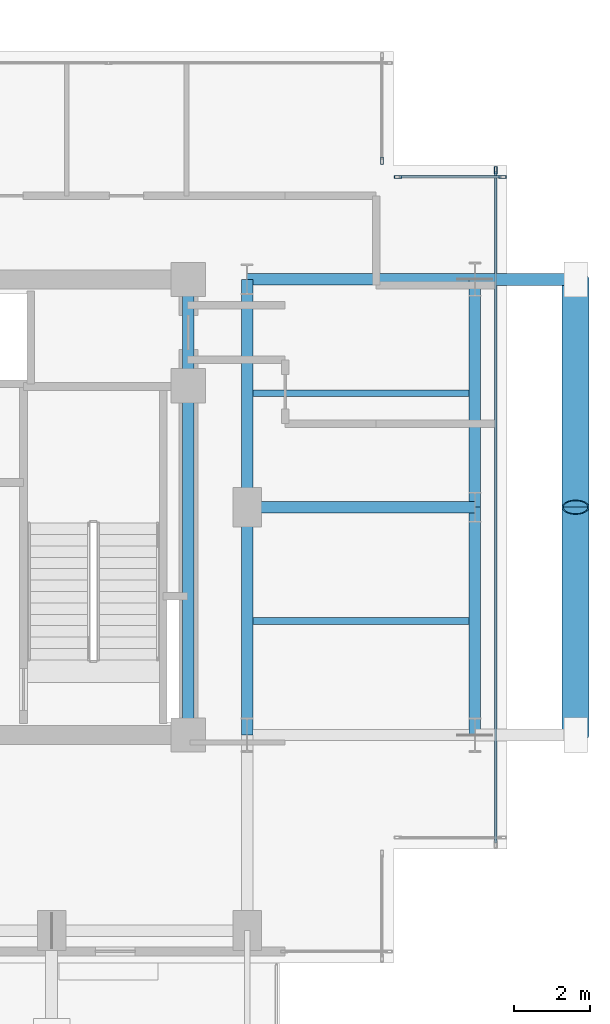
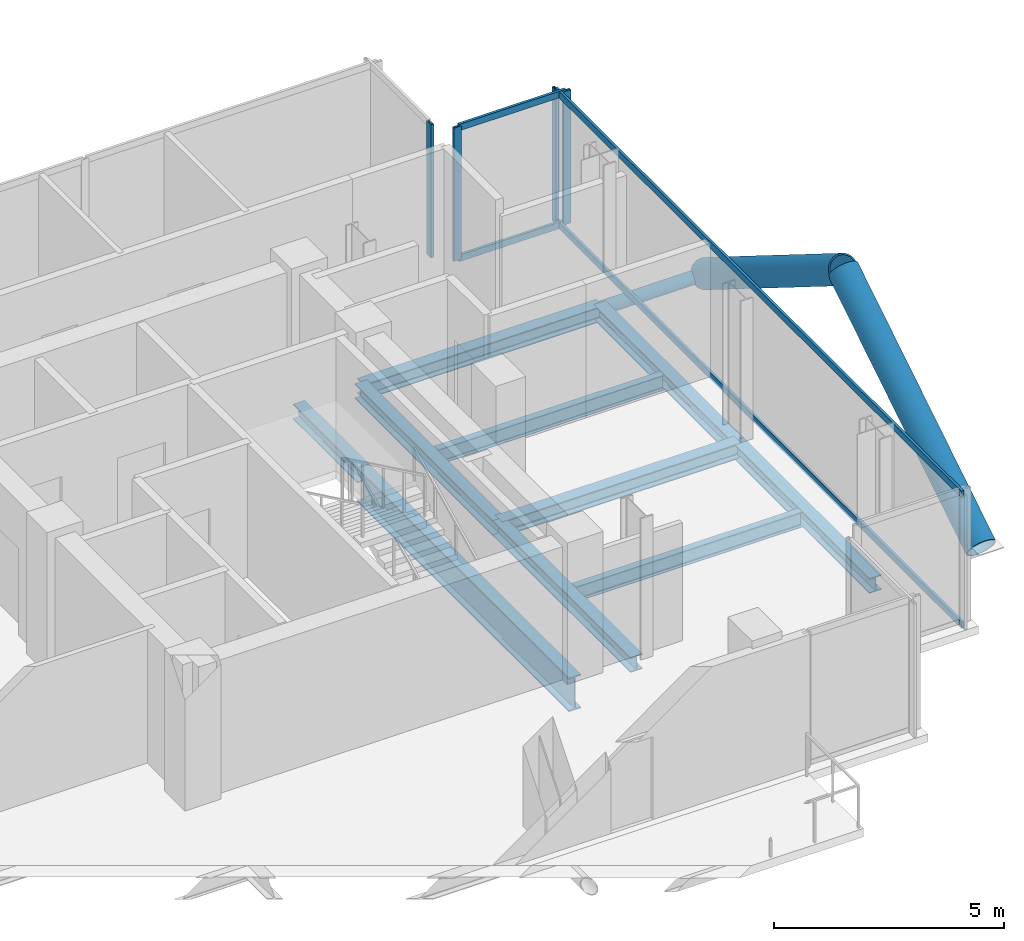
# One storey, part 12 of 25: 11 members, 10 beams, 3 elements without a shape of their own.
"""IFC4 building model written with IfcOpenShell, lengths in metres."""

from ifc_helpers import new_model, si_unit, direction, frame, origin, origin_2d, place, context, subcontext, project, spatial, hollow_rectangle, hollow_circle, i_section, extrude, material, layer, layer_set, material_profile, profile_set, type_object, element, aggregate, save


model = new_model("IFC4")

# Units and contexts
model_context = context("Model", 3, precision=1e-05, world=origin(), true_north=direction((0.0, 1.0)))
body_context = subcontext(model_context, "Body", "Model", "MODEL_VIEW")
ifc_project = project(units=[si_unit("LENGTHUNIT", "METRE"), si_unit("AREAUNIT", "SQUARE_METRE"), si_unit("VOLUMEUNIT", "CUBIC_METRE"), si_unit("PLANEANGLEUNIT", "RADIAN"), si_unit("MASSUNIT", "GRAM", prefix="KILO"), si_unit("THERMODYNAMICTEMPERATUREUNIT", "KELVIN"), si_unit("POWERUNIT", "WATT")], contexts=[model_context])

# Site, building, storey
site_placement = place(None, origin())
site = spatial("IfcSite", under=ifc_project, at=site_placement, CompositionType="ELEMENT")
building_placement = place(site_placement, origin())
building = spatial("IfcBuilding", under=site, at=building_placement, Name="Svarakhadi Broadcast Tower", CompositionType="ELEMENT")
storey_placement = place(building_placement, frame((0.0, 0.0, 212.39990234375)))
storey = spatial("IfcBuildingStorey", under=building, at=storey_placement, Name="L52", CompositionType="ELEMENT", Elevation=212.39990234375)

# Beams
ifc_material_1 = material(Name="Steel S355J2 (IS 2062 E350C)", Category="steel")
ifc_material_profile_1 = material_profile(ifc_material_1, i_section(OverallWidth=0.179931640625, OverallDepth=0.39990234375, WebThickness=0.008544921875, FlangeThickness=0.013427734375, FilletRadius=0.02099609375, at=origin_2d()), Name="NPB 400x180x66")
ifc_profile_set_1 = profile_set([ifc_material_profile_1], Name="Steel S355J2 (IS 2062 E350C)")
beam_type_1 = type_object("IfcBeamType", Name="Beam_NPB400", PredefinedType="BEAM", material=ifc_profile_set_1)
for number, where, z_axis, x_axis, name in (
    (1, (35.31005859375, 9.0, -0.409912109375), (1.0, 0.0, 0.0), (0.0, 1.0, 0.0), "L52 Secondary Composite Beam SB016"),
    (2, (35.31005859375, 15.0, -0.409912109375), (1.0, 0.0, 0.0), (0.0, 1.0, 0.0), "L52 Secondary Composite Beam SB017"),
):
    element("IfcBeam", number, at=place(storey_placement, frame(where, z_axis=z_axis, x_axis=x_axis)), inside=storey, type_object=beam_type_1, Name=name, PredefinedType="BEAM", context=body_context, shape_type="SweptSolid", body=[
        extrude(i_section(OverallWidth=0.179931640625, OverallDepth=0.39990234375, WebThickness=0.008544921875, FlangeThickness=0.013427734375, FilletRadius=0.02099609375, at=origin_2d()), origin(), (0.0, 0.0, 1.0), 5.679931640625),
    ])

# Curtain wall, member
ifc_material_2 = material(Name="Anodised Bronze Aluminium AA 6063-T6", Category="aluminium")
ifc_layer = layer(ifc_material_2, 0.18994140625)
ifc_layer_set = layer_set([ifc_layer], Name="Anodised Bronze Aluminium AA 6063-T6")
curtain_wall_type = type_object("IfcCurtainWallType", Name="CW_Sys_04", PredefinedType="NOTDEFINED", material=ifc_layer_set)
curtain_wall_1_placement = place(storey_placement, origin())
curtain_wall_1 = element("IfcCurtainWall", 3, at=curtain_wall_1_placement, inside=storey, type_object=curtain_wall_type, Name="L52 Unitised Facade Curtain Wall 11", PredefinedType="NOTDEFINED")
ifc_material_profile_2 = material_profile(ifc_material_2, hollow_rectangle(XDim=0.070068359375, YDim=0.18994140625, WallThickness=0.005615234375, at=origin_2d()), Name="ALU MULLION 190x70x6")
ifc_profile_set_2 = profile_set([ifc_material_profile_2], Name="Anodised Bronze Aluminium AA 6063-T6")
member_type_1 = type_object("IfcMemberType", Name="CW_Sys_04_Mul", PredefinedType="MULLION", material=ifc_profile_set_2)
member_1_placement = place(storey_placement, frame((38.699951171875, 21.125, 0.0), z_axis=(0.0, 0.0, 1.0), x_axis=(1.0, 0.0, 0.0)))
member_1 = element("IfcMember", 4, at=member_1_placement, type_object=member_type_1, Name="CW-04 mullion 2", PredefinedType="MULLION", context=body_context, shape_type="SweptSolid", body=[
    extrude(hollow_rectangle(XDim=0.070068359375, YDim=0.18994140625, WallThickness=0.005615234375, at=origin_2d()), origin(), (0.0, 0.0, 1.0), 3.5400390625),
])
aggregate(curtain_wall_1, [member_1])

# Curtain wall, members
curtain_wall_2_placement = place(storey_placement, origin())
curtain_wall_2 = element("IfcCurtainWall", 5, at=curtain_wall_2_placement, inside=storey, type_object=curtain_wall_type, Name="L52 Unitised Facade Curtain Wall 12", PredefinedType="NOTDEFINED")
member_2_placement = place(storey_placement, frame((39.125, 20.699951171875, 0.0), z_axis=(0.0, 0.0, 1.0), x_axis=(0.0, 1.0, 0.0)))
member_2 = element("IfcMember", 6, at=member_2_placement, type_object=member_type_1, Name="CW-04 mullion 1", PredefinedType="MULLION", context=body_context, shape_type="SweptSolid", body=[
    extrude(hollow_rectangle(XDim=0.070068359375, YDim=0.18994140625, WallThickness=0.005615234375, at=origin_2d()), origin(), (0.0, 0.0, 1.0), 3.5400390625),
])
member_3_placement = place(storey_placement, frame((41.875, 20.699951171875, 0.0), z_axis=(0.0, 0.0, 1.0), x_axis=(0.0, 1.0, 0.0)))
member_3 = element("IfcMember", 7, at=member_3_placement, type_object=member_type_1, Name="CW-04 mullion 2", PredefinedType="MULLION", context=body_context, shape_type="SweptSolid", body=[
    extrude(hollow_rectangle(XDim=0.070068359375, YDim=0.18994140625, WallThickness=0.005615234375, at=origin_2d()), origin(), (0.0, 0.0, 1.0), 3.5400390625),
])

# Curtain wall, member
curtain_wall_3_placement = place(storey_placement, origin())
curtain_wall_3 = element("IfcCurtainWall", 8, at=curtain_wall_3_placement, inside=storey, type_object=curtain_wall_type, Name="L52 Unitised Facade Curtain Wall 13", PredefinedType="NOTDEFINED")
member_4_placement = place(storey_placement, frame((41.699951171875, 20.875, 0.0), z_axis=(0.0, 0.0, 1.0), x_axis=(1.0, 0.0, 0.0)))
member_4 = element("IfcMember", 9, at=member_4_placement, type_object=member_type_1, Name="CW-04 mullion 1", PredefinedType="MULLION", context=body_context, shape_type="SweptSolid", body=[
    extrude(hollow_rectangle(XDim=0.070068359375, YDim=0.18994140625, WallThickness=0.005615234375, at=origin_2d()), origin(), (0.0, 0.0, 1.0), 3.5400390625),
])

# Member
ifc_material_profile_3 = material_profile(ifc_material_2, hollow_rectangle(XDim=0.06494140625, YDim=0.175048828125, WallThickness=0.0048828125, at=origin_2d()), Name="ALU TRANSOM 175x65x5")
ifc_profile_set_3 = profile_set([ifc_material_profile_3], Name="Anodised Bronze Aluminium AA 6063-T6")
member_type_2 = type_object("IfcMemberType", Name="CW_Sys_04_Trn", PredefinedType="USERDEFINED", material=ifc_profile_set_3)
member_5_placement = place(storey_placement, frame((39.159912109375, 20.699951171875, 0.03271484375), z_axis=(1.0, 0.0, 0.0), x_axis=(0.0, 1.0, 0.0)))
member_5 = element("IfcMember", 10, at=member_5_placement, type_object=member_type_2, Name="CW-04 transom 1.1", ObjectType="TRANSOM", PredefinedType="USERDEFINED", context=body_context, shape_type="SweptSolid", body=[
    extrude(hollow_rectangle(XDim=0.06494140625, YDim=0.175048828125, WallThickness=0.0048828125, at=origin_2d()), origin(), (0.0, 0.0, 1.0), 2.68017578125),
])

member_6_placement = place(storey_placement, frame((39.159912109375, 20.699951171875, 3.507568359375), z_axis=(1.0, 0.0, 0.0), x_axis=(0.0, 1.0, 0.0)))
member_6 = element("IfcMember", 11, at=member_6_placement, type_object=member_type_2, Name="CW-04 transom 1.2", ObjectType="TRANSOM", PredefinedType="USERDEFINED", context=body_context, shape_type="SweptSolid", body=[
    extrude(hollow_rectangle(XDim=0.06494140625, YDim=0.175048828125, WallThickness=0.0048828125, at=origin_2d()), origin(), (0.0, 0.0, 1.0), 2.68017578125),
])

aggregate(curtain_wall_2, [member_2, member_3, member_5, member_6])

member_7_placement = place(storey_placement, frame((41.699951171875, 20.840087890625, 0.03271484375), z_axis=(0.0, -1.0, 0.0), x_axis=(1.0, 0.0, 0.0)))
member_7 = element("IfcMember", 12, at=member_7_placement, type_object=member_type_2, Name="CW-04 transom 1.1", ObjectType="TRANSOM", PredefinedType="USERDEFINED", context=body_context, shape_type="SweptSolid", body=[
    extrude(hollow_rectangle(XDim=0.06494140625, YDim=0.175048828125, WallThickness=0.0048828125, at=origin_2d()), origin(), (0.0, 0.0, 1.0), 17.68017578125),
])

member_8_placement = place(storey_placement, frame((41.699951171875, 20.840087890625, 3.507568359375), z_axis=(0.0, -1.0, 0.0), x_axis=(1.0, 0.0, 0.0)))
member_8 = element("IfcMember", 13, at=member_8_placement, type_object=member_type_2, Name="CW-04 transom 1.2", ObjectType="TRANSOM", PredefinedType="USERDEFINED", context=body_context, shape_type="SweptSolid", body=[
    extrude(hollow_rectangle(XDim=0.06494140625, YDim=0.175048828125, WallThickness=0.0048828125, at=origin_2d()), origin(), (0.0, 0.0, 1.0), 17.68017578125),
])

aggregate(curtain_wall_3, [member_4, member_7, member_8])

# Members
ifc_material_3 = material(Name="Steel S460ML (IS 2062 E450BR)", Category="steel")
ifc_material_profile_4 = material_profile(ifc_material_3, hollow_circle(Radius=0.35546875, WallThickness=0.034912109375, at=origin_2d()), Name="CHS 711x35")
ifc_profile_set_4 = profile_set([ifc_material_profile_4], Name="Steel S460ML (IS 2062 E450BR)")
member_type_3 = type_object("IfcMemberType", Name="Exo_Brace_CHS711", PredefinedType="BRACE", material=ifc_profile_set_4)
for number, where, z_axis, x_axis, name in (
    (14, (43.800048828125, 6.0, -0.371826171875), (0.0, 0.847998304005, 0.529998940003), (-1.0, 0.0, 0.0), "L52 Exposed Bronze Exoskeleton Diagonal E06"),
    (15, (43.800048828125, 18.0, -0.371826171875), (0.0, -0.847998304005, 0.529998940003), (1.0, 0.0, 0.0), "L52 Exposed Bronze Exoskeleton Diagonal E07"),
):
    element("IfcMember", number, at=place(storey_placement, frame(where, z_axis=z_axis, x_axis=x_axis)), inside=storey, type_object=member_type_3, Name=name, PredefinedType="BRACE", context=body_context, shape_type="SweptSolid", body=[
        extrude(hollow_circle(Radius=0.35546875, WallThickness=0.034912109375, at=origin_2d()), origin(), (0.0, 0.0, 1.0), 7.075439453125),
    ])
ifc_material_profile_5 = material_profile(ifc_material_3, hollow_circle(Radius=0.161865234375, WallThickness=0.01611328125, at=origin_2d()), Name="CHS 323.9x16")
ifc_profile_set_5 = profile_set([ifc_material_profile_5], Name="Steel S460ML (IS 2062 E450BR)")
member_type_4 = type_object("IfcMemberType", Name="Exo_Radial_Strut_Z2", PredefinedType="STRUT", material=ifc_profile_set_5)
member_9_placement = place(storey_placement, frame((43.800048828125, 18.0, -0.371826171875), z_axis=(-1.0, 0.0, 0.0), x_axis=(0.0, -1.0, 0.0)))
element("IfcMember", 16, at=member_9_placement, inside=storey, type_object=member_type_4, Name="L52 Exoskeleton Radial Tie Strut E08", PredefinedType="STRUT", context=body_context, shape_type="SweptSolid", body=[
    extrude(hollow_circle(Radius=0.161865234375, WallThickness=0.01611328125, at=origin_2d()), origin(), (0.0, 0.0, 1.0), 2.650146484375),
])

# Beams
ifc_material_profile_6 = material_profile(ifc_material_1, i_section(OverallWidth=0.300048828125, OverallDepth=0.39990234375, WebThickness=0.013427734375, FlangeThickness=0.02392578125, FilletRadius=0.027099609375, at=origin_2d()), Name="WPB 400x300x155")
ifc_profile_set_6 = profile_set([ifc_material_profile_6], Name="Steel S355J2 (IS 2062 E350C)")
beam_type_2 = type_object("IfcBeamType", Name="Girder_WPB400", PredefinedType="USERDEFINED", material=ifc_profile_set_6)
for number, where, z_axis, x_axis, name in (
    (17, (35.14990234375, 12.0, -0.409912109375), (1.0, 0.0, 0.0), (0.0, 1.0, 0.0), "L52 Primary E-W Girder G019"),
    (18, (35.14990234375, 18.0, -0.409912109375), (1.0, 0.0, 0.0), (0.0, 1.0, 0.0), "L52 Primary E-W Girder G025"),
):
    element("IfcBeam", number, at=place(storey_placement, frame(where, z_axis=z_axis, x_axis=x_axis)), inside=storey, type_object=beam_type_2, Name=name, ObjectType="GIRDER", PredefinedType="USERDEFINED", context=body_context, shape_type="SweptSolid", body=[
        extrude(i_section(OverallWidth=0.300048828125, OverallDepth=0.39990234375, WebThickness=0.013427734375, FlangeThickness=0.02392578125, FilletRadius=0.027099609375, at=origin_2d()), origin(), (0.0, 0.0, 1.0), 6.0),
    ])
beam_1_placement = place(storey_placement, frame((33.60009765625, 15.199951171875, -0.409912109375), z_axis=(0.0, 1.0, 0.0), x_axis=(-1.0, 0.0, 0.0)))
element("IfcBeam", 19, at=beam_1_placement, inside=storey, type_object=beam_type_2, Name="L52 Primary N-S Girder G055", ObjectType="GIRDER", PredefinedType="USERDEFINED", context=body_context, shape_type="SweptSolid", body=[
    extrude(i_section(OverallWidth=0.300048828125, OverallDepth=0.39990234375, WebThickness=0.013427734375, FlangeThickness=0.02392578125, FilletRadius=0.027099609375, at=origin_2d()), origin(), (0.0, 0.0, 1.0), 2.800048828125),
])
for number, where, z_axis, x_axis, name in (
    (20, (35.14990234375, 6.0, -0.409912109375), (0.0, 1.0, 0.0), (-1.0, 0.0, 0.0), "L52 Primary N-S Girder G057"),
    (21, (35.14990234375, 12.0, -0.409912109375), (0.0, 1.0, 0.0), (-1.0, 0.0, 0.0), "L52 Primary N-S Girder G058"),
    (22, (41.14990234375, 6.0, -0.409912109375), (0.0, 1.0, 0.0), (-1.0, 0.0, 0.0), "L52 Primary N-S Girder G059"),
    (23, (41.14990234375, 12.0, -0.409912109375), (0.0, 1.0, 0.0), (-1.0, 0.0, 0.0), "L52 Primary N-S Girder G060"),
):
    element("IfcBeam", number, at=place(storey_placement, frame(where, z_axis=z_axis, x_axis=x_axis)), inside=storey, type_object=beam_type_2, Name=name, ObjectType="GIRDER", PredefinedType="USERDEFINED", context=body_context, shape_type="SweptSolid", body=[
        extrude(i_section(OverallWidth=0.300048828125, OverallDepth=0.39990234375, WebThickness=0.013427734375, FlangeThickness=0.02392578125, FilletRadius=0.027099609375, at=origin_2d()), origin(), (0.0, 0.0, 1.0), 6.0),
    ])
ifc_material_profile_7 = material_profile(ifc_material_3, i_section(OverallWidth=0.300048828125, OverallDepth=0.89990234375, WebThickness=0.0185546875, FlangeThickness=0.034912109375, FilletRadius=0.030029296875, at=origin_2d()), Name="WPB 900x300x291")
ifc_profile_set_7 = profile_set([ifc_material_profile_7], Name="Steel S460ML (IS 2062 E450BR)")
beam_type_3 = type_object("IfcBeamType", Name="Girder_WPB900", PredefinedType="USERDEFINED", material=ifc_profile_set_7)
beam_2_placement = place(storey_placement, frame((33.60009765625, 6.0, -0.659912109375), z_axis=(0.0, 1.0, 0.0), x_axis=(-1.0, 0.0, 0.0)))
element("IfcBeam", 24, at=beam_2_placement, inside=storey, type_object=beam_type_3, Name="L52 Primary N-S Girder G054", ObjectType="GIRDER", PredefinedType="USERDEFINED", context=body_context, shape_type="SweptSolid", body=[
    extrude(i_section(OverallWidth=0.300048828125, OverallDepth=0.89990234375, WebThickness=0.0185546875, FlangeThickness=0.034912109375, FilletRadius=0.030029296875, at=origin_2d()), origin(), (0.0, 0.0, 1.0), 9.199951171875),
])

save(model, "model.ifc")
